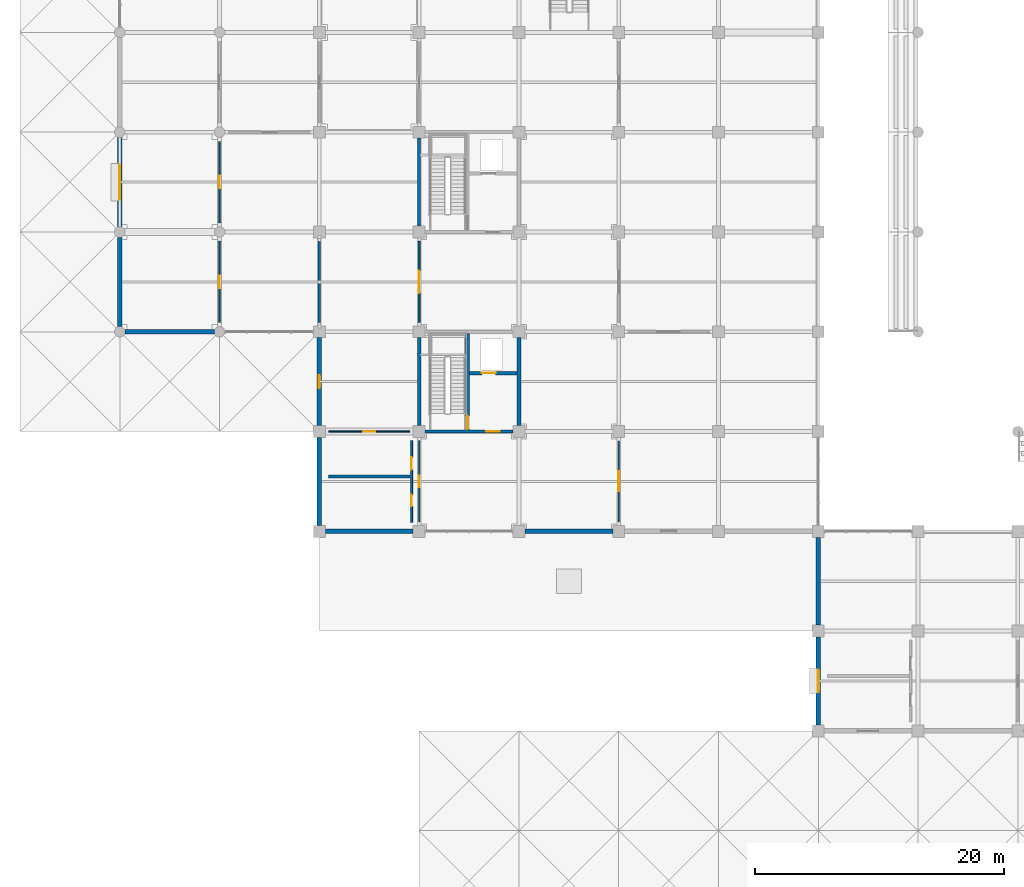
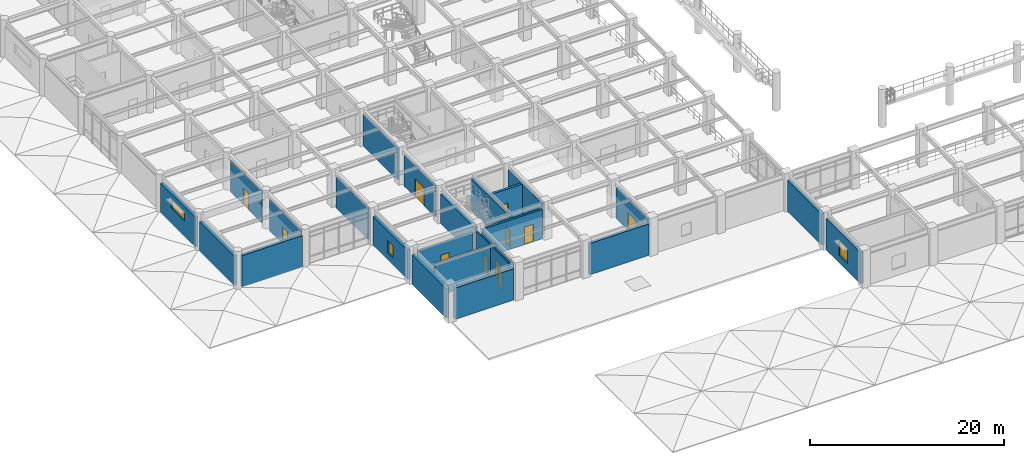
# One storey, part 68 of 109: 24 walls, 11 doors, 3 windows, 14 openings.
"""IFC4 building model written with IfcOpenShell, lengths in metres."""

from ifc_helpers import new_model, si_unit, direction, frame, frame_2d, origin, place, context, subcontext, project, spatial, rectangle, extrude, material, layer, layer_set, type_object, element, fill, save


model = new_model("IFC4")

# Units and contexts
model_context = context("Model", 3, precision=1e-05, world=origin(), true_north=direction((0.0, 1.0)))
body_context = subcontext(model_context, "Body", "Model", "MODEL_VIEW")
ifc_project = project(units=[si_unit("LENGTHUNIT", "METRE"), si_unit("AREAUNIT", "SQUARE_METRE"), si_unit("VOLUMEUNIT", "CUBIC_METRE"), si_unit("PLANEANGLEUNIT", "RADIAN"), si_unit("MASSUNIT", "GRAM", prefix="KILO")], contexts=[model_context])

# Site, building, storey
site_placement = place(None, origin())
site = spatial("IfcSite", under=ifc_project, at=site_placement, CompositionType="ELEMENT")
building_placement = place(site_placement, origin())
building = spatial("IfcBuilding", under=site, at=building_placement, Name="Haebicheon Civic Stadium", CompositionType="ELEMENT")
storey_placement = place(building_placement, frame((0.0, 0.0, 9.60009765625)))
storey = spatial("IfcBuildingStorey", under=building, at=storey_placement, Name="L03", CompositionType="ELEMENT", Elevation=9.60009765625)

# Wall, opening, door
ifc_material_1 = material(Name="Concrete C40/50", Category="concrete")
ifc_layer_1 = layer(ifc_material_1, 0.239990234375, Name="Concrete C40/50")
ifc_layer_set_1 = layer_set([ifc_layer_1], Name="Concrete C40/50")
wall_type_1 = type_object("IfcWallType", Name="CW-SHR-240", PredefinedType="SHEAR", material=ifc_layer_set_1)
wall_1_placement = place(storey_placement, frame((32.47509765625, 40.0, 0.0), z_axis=(0.0, 0.0, 1.0), x_axis=(1.0, 0.0, 0.0)))
wall_1 = element("IfcWall", 1, at=wall_1_placement, inside=storey, type_object=wall_type_1, material=ifc_layer_set_1, Name="KC-01 L03 south core shear wall", PredefinedType="SHEAR", context=body_context, shape_type="SweptSolid", body=[
    extrude(rectangle(XDim=7.0498046875, YDim=0.239990234375, at=frame_2d((3.52490234375, 0.0))), origin(), (0.0, 0.0, 1.0), 3.679931640625),
])
opening_1_placement = place(wall_1_placement, frame((4.89990234375, 0.0, 0.0)))
opening_1 = element("IfcOpeningElement", 2, at=opening_1_placement, cuts=wall_1, Name="Opening D-L03-KC-01-LOB", PredefinedType="OPENING", context=body_context, shape_type="SweptSolid", body=[
    extrude(rectangle(XDim=1.10009765625, YDim=2.199951171875, at=frame_2d((0.550048828125, 1.10009765625))), frame((0.0, 0.1298828125, 0.0), z_axis=(0.0, -1.0, 0.0), x_axis=(1.0, 0.0, 0.0)), (0.0, 0.0, 1.0), 0.260009765625),
])
ifc_material_2 = material(Name="Galvanised painted steel SM355", Category="steel")
door_type_1 = type_object("IfcDoorType", Name="ID-FD-1100", OperationType="NOTDEFINED", PredefinedType="DOOR", material=ifc_material_2)
door_1_placement = place(opening_1_placement, origin())
door_1 = element("IfcDoor", 3, at=door_1_placement, inside=storey, type_object=door_type_1, material=ifc_material_2, Name="L03 KC-01 lobby fire door", OperationType="SINGLE_SWING_LEFT", OverallHeight=2.199951171875, OverallWidth=1.10009765625, PredefinedType="DOOR", context=body_context, shape_type="SweptSolid", body=[
    extrude(rectangle(XDim=1.10009765625, YDim=2.199951171875, at=frame_2d((0.550048828125, 1.10009765625))), frame((0.0, 0.02490234375, 0.0), z_axis=(0.0, -1.0, 0.0), x_axis=(1.0, 0.0, 0.0)), (0.0, 0.0, 1.0), 0.050048828125),
])
fill(opening_1, door_1)

# Walls
wall_2_placement = place(storey_placement, frame((32.0, 56.47509765625, 0.0), z_axis=(0.0, 0.0, 1.0), x_axis=(0.0, 1.0, 0.0)))
element("IfcWall", 4, at=wall_2_placement, inside=storey, type_object=wall_type_1, material=ifc_layer_set_1, Name="KC-02 L03 west core shear wall", PredefinedType="SHEAR", context=body_context, shape_type="SweptSolid", body=[
    extrude(rectangle(XDim=7.0498046875, YDim=0.239990234375, at=frame_2d((3.52490234375, 0.0))), origin(), (0.0, 0.0, 1.0), 3.929931640625),
])
ifc_material_3 = material(Name="Concrete C40/50", Category="concrete")
ifc_layer_2 = layer(ifc_material_3, 0.300048828125, Name="Concrete C40/50")
ifc_layer_set_2 = layer_set([ifc_layer_2], Name="Concrete C40/50")
wall_type_2 = type_object("IfcWallType", Name="CW-SHR-300", PredefinedType="SHEAR", material=ifc_layer_set_2)
wall_3_placement = place(storey_placement, frame((32.0, 40.47509765625, 0.0), z_axis=(0.0, 0.0, 1.0), x_axis=(0.0, 1.0, 0.0)))
element("IfcWall", 5, at=wall_3_placement, inside=storey, type_object=wall_type_2, material=ifc_layer_set_2, Name="KC-01 L03 west core shear wall", PredefinedType="SHEAR", context=body_context, shape_type="SweptSolid", body=[
    extrude(rectangle(XDim=7.0498046875, YDim=0.300048828125, at=frame_2d((3.52490234375, 0.0))), origin(), (0.0, 0.0, 1.0), 3.679931640625),
])
wall_4_placement = place(storey_placement, frame((40.0, 40.47509765625, 0.0), z_axis=(0.0, 0.0, 1.0), x_axis=(0.0, 1.0, 0.0)))
element("IfcWall", 6, at=wall_4_placement, inside=storey, type_object=wall_type_2, material=ifc_layer_set_2, Name="KC-01 L03 east core shear wall", PredefinedType="SHEAR", context=body_context, shape_type="SweptSolid", body=[
    extrude(rectangle(XDim=7.0498046875, YDim=0.300048828125, at=frame_2d((3.52490234375, 0.0))), origin(), (0.0, 0.0, 1.0), 3.929931640625),
])

# Wall, opening, door
wall_5_placement = place(storey_placement, frame((35.8798828125, 40.1201171875, 0.0), z_axis=(0.0, 0.0, 1.0), x_axis=(0.0, 1.0, 0.0)))
wall_5 = element("IfcWall", 7, at=wall_5_placement, inside=storey, type_object=wall_type_2, material=ifc_layer_set_2, Name="KC-01 L03 stair-lobby dividing shear wall", PredefinedType="SHEAR", context=body_context, shape_type="SweptSolid", body=[
    extrude(rectangle(XDim=7.759765625, YDim=0.300048828125, at=frame_2d((3.8798828125, 0.0))), origin(), (0.0, 0.0, 1.0), 4.02978515625),
])
opening_2_placement = place(wall_5_placement, frame((0.080078125, 0.0, 0.0)))
opening_2 = element("IfcOpeningElement", 8, at=opening_2_placement, cuts=wall_5, Name="Opening D-L03-KC-01-STR", PredefinedType="OPENING", context=body_context, shape_type="SweptSolid", body=[
    extrude(rectangle(XDim=1.050048828125, YDim=2.14990234375, at=frame_2d((0.52490234375, 1.074951171875))), frame((0.0, 0.159912109375, 0.0), z_axis=(0.0, -1.0, 0.0), x_axis=(1.0, 0.0, 0.0)), (0.0, 0.0, 1.0), 0.320068359375),
])
ifc_material_4 = material(Name="Galvanised painted steel SM355", Category="steel")
door_type_2 = type_object("IfcDoorType", Name="ID-FD-1050", OperationType="NOTDEFINED", PredefinedType="DOOR", material=ifc_material_4)
door_2_placement = place(opening_2_placement, origin())
door_2 = element("IfcDoor", 9, at=door_2_placement, inside=storey, type_object=door_type_2, material=ifc_material_4, Name="L03 ST-01 stairwell escape door", OperationType="SINGLE_SWING_RIGHT", OverallHeight=2.14990234375, OverallWidth=1.050048828125, PredefinedType="DOOR", context=body_context, shape_type="SweptSolid", body=[
    extrude(rectangle(XDim=1.050048828125, YDim=2.14990234375, at=frame_2d((0.52490234375, 1.074951171875))), frame((0.0, 0.02490234375, 0.0), z_axis=(0.0, -1.0, 0.0), x_axis=(1.0, 0.0, 0.0)), (0.0, 0.0, 1.0), 0.050048828125),
])
fill(opening_2, door_2)

wall_6_placement = place(storey_placement, frame((36.030029296875, 44.679931640625, 0.0), z_axis=(0.0, 0.0, 1.0), x_axis=(1.0, 0.0, 0.0)))
wall_6 = element("IfcWall", 10, at=wall_6_placement, inside=storey, type_object=wall_type_2, material=ifc_layer_set_2, Name="KC-01 L03 lift shaft front wall", PredefinedType="SHEAR", context=body_context, shape_type="SweptSolid", body=[
    extrude(rectangle(XDim=3.820068359375, YDim=0.300048828125, at=frame_2d((1.91015625, 0.0))), origin(), (0.0, 0.0, 1.0), 3.929931640625),
])
opening_3_placement = place(wall_6_placement, frame((1.0, 0.0, 0.0)))
opening_3 = element("IfcOpeningElement", 11, at=opening_3_placement, cuts=wall_6, Name="Opening LD-01-L03", PredefinedType="OPENING", context=body_context, shape_type="SweptSolid", body=[
    extrude(rectangle(XDim=1.10009765625, YDim=2.14990234375, at=frame_2d((0.550048828125, 1.074951171875))), frame((0.0, 0.159912109375, 0.0), z_axis=(0.0, -1.0, 0.0), x_axis=(1.0, 0.0, 0.0)), (0.0, 0.0, 1.0), 0.320068359375),
])
ifc_material_5 = material(Name="Stainless steel 316", Category="steel")
door_type_3 = type_object("IfcDoorType", Name="ID-LD-1100", OperationType="NOTDEFINED", PredefinedType="DOOR", material=ifc_material_5)
door_3_placement = place(opening_3_placement, origin())
door_3 = element("IfcDoor", 12, at=door_3_placement, inside=storey, type_object=door_type_3, material=ifc_material_5, Name="LF-01 lift landing sliding door L03", OperationType="SLIDING_TO_LEFT", OverallHeight=2.14990234375, OverallWidth=1.10009765625, PredefinedType="DOOR", context=body_context, shape_type="SweptSolid", body=[
    extrude(rectangle(XDim=1.10009765625, YDim=2.14990234375, at=frame_2d((0.550048828125, 1.074951171875))), frame((0.0, 0.02490234375, 0.0), z_axis=(0.0, -1.0, 0.0), x_axis=(1.0, 0.0, 0.0)), (0.0, 0.0, 1.0), 0.050048828125),
])
fill(opening_3, door_3)

# Walls
ifc_material_6 = material(Name="Concrete C40/50", Category="concrete")
ifc_layer_3 = layer(ifc_material_6, 0.35009765625, Name="Concrete C40/50")
ifc_layer_set_3 = layer_set([ifc_layer_3], Name="Concrete C40/50")
wall_type_3 = type_object("IfcWallType", Name="EW-BM-350", PredefinedType="SOLIDWALL", material=ifc_layer_set_3)
wall_7_placement = place(storey_placement, frame((8.425048828125, 48.0, 0.0), z_axis=(0.0, 0.0, 1.0), x_axis=(1.0, 0.0, 0.0)))
element("IfcWall", 13, at=wall_7_placement, inside=storey, type_object=wall_type_3, material=ifc_layer_set_3, Name="L03 board-marked concrete facade wall 01-06-S", PredefinedType="SOLIDWALL", context=body_context, shape_type="SweptSolid", body=[
    extrude(rectangle(XDim=7.14990234375, YDim=0.35009765625, at=frame_2d((3.574951171875, 0.0))), origin(), (0.0, 0.0, 1.0), 3.949951171875),
])
wall_8_placement = place(storey_placement, frame((8.0, 48.425048828125, 0.0), z_axis=(0.0, 0.0, 1.0), x_axis=(0.0, 1.0, 0.0)))
element("IfcWall", 14, at=wall_8_placement, inside=storey, type_object=wall_type_3, material=ifc_layer_set_3, Name="L03 board-marked concrete facade wall 01-06-W", PredefinedType="SOLIDWALL", context=body_context, shape_type="SweptSolid", body=[
    extrude(rectangle(XDim=7.14990234375, YDim=0.35009765625, at=frame_2d((3.574951171875, 0.0))), origin(), (0.0, 0.0, 1.0), 3.719970703125),
])

# Wall, opening, window
wall_9_placement = place(storey_placement, frame((8.0, 56.425048828125, 0.0), z_axis=(0.0, 0.0, 1.0), x_axis=(0.0, 1.0, 0.0)))
wall_9 = element("IfcWall", 15, at=wall_9_placement, inside=storey, type_object=wall_type_3, material=ifc_layer_set_3, Name="L03 board-marked concrete facade wall 01-07-W", PredefinedType="SOLIDWALL", context=body_context, shape_type="SweptSolid", body=[
    extrude(rectangle(XDim=7.14990234375, YDim=0.35009765625, at=frame_2d((3.574951171875, 0.0))), origin(), (0.0, 0.0, 1.0), 3.719970703125),
])
opening_4_placement = place(wall_9_placement, frame((2.175048828125, 0.0, 1.89990234375)))
opening_4 = element("IfcOpeningElement", 16, at=opening_4_placement, cuts=wall_9, Name="Opening WIN-280x110", PredefinedType="OPENING", context=body_context, shape_type="SweptSolid", body=[
    extrude(rectangle(XDim=2.800048828125, YDim=1.10009765625, at=frame_2d((1.39990234375, 0.550048828125))), frame((0.0, 0.18505859375, 0.0), z_axis=(0.0, -1.0, 0.0), x_axis=(1.0, 0.0, 0.0)), (0.0, 0.0, 1.0), 0.3701171875),
])
ifc_material_7 = material(Name="Anodised aluminium and laminated glass", Category="aluminium")
window_type_1 = type_object("IfcWindowType", Name="WIN-280x110", PartitioningType="SINGLE_PANEL", PredefinedType="LIGHTDOME", material=ifc_material_7)
window_1_placement = place(opening_4_placement, origin())
window_1 = element("IfcWindow", 17, at=window_1_placement, inside=storey, type_object=window_type_1, material=ifc_material_7, Name="L03 facade window 065", OverallHeight=1.10009765625, OverallWidth=2.800048828125, PartitioningType="SINGLE_PANEL", PredefinedType="LIGHTDOME", context=body_context, shape_type="SweptSolid", body=[
    extrude(rectangle(XDim=2.800048828125, YDim=1.10009765625, at=frame_2d((1.39990234375, 0.550048828125))), frame((0.0, 0.030029296875, 0.0), z_axis=(0.0, -1.0, 0.0), x_axis=(1.0, 0.0, 0.0)), (0.0, 0.0, 1.0), 0.06005859375),
])
fill(opening_4, window_1)

# Walls
wall_10_placement = place(storey_placement, frame((24.47509765625, 32.0, 0.0), z_axis=(0.0, 0.0, 1.0), x_axis=(1.0, 0.0, 0.0)))
element("IfcWall", 18, at=wall_10_placement, inside=storey, type_object=wall_type_3, material=ifc_layer_set_3, Name="L03 board-marked concrete facade wall 03-04-S", PredefinedType="SOLIDWALL", context=body_context, shape_type="SweptSolid", body=[
    extrude(rectangle(XDim=7.0498046875, YDim=0.35009765625, at=frame_2d((3.52490234375, 0.0))), origin(), (0.0, 0.0, 1.0), 3.929931640625),
])
wall_11_placement = place(storey_placement, frame((24.0, 32.47509765625, 0.0), z_axis=(0.0, 0.0, 1.0), x_axis=(0.0, 1.0, 0.0)))
element("IfcWall", 19, at=wall_11_placement, inside=storey, type_object=wall_type_3, material=ifc_layer_set_3, Name="L03 board-marked concrete facade wall 03-04-W", PredefinedType="SOLIDWALL", context=body_context, shape_type="SweptSolid", body=[
    extrude(rectangle(XDim=7.0498046875, YDim=0.35009765625, at=frame_2d((3.52490234375, 0.0))), origin(), (0.0, 0.0, 1.0), 3.679931640625),
])

# Wall, opening, window
wall_12_placement = place(storey_placement, frame((24.0, 40.47509765625, 0.0), z_axis=(0.0, 0.0, 1.0), x_axis=(0.0, 1.0, 0.0)))
wall_12 = element("IfcWall", 20, at=wall_12_placement, inside=storey, type_object=wall_type_3, material=ifc_layer_set_3, Name="L03 board-marked concrete facade wall 03-05-W", PredefinedType="SOLIDWALL", context=body_context, shape_type="SweptSolid", body=[
    extrude(rectangle(XDim=7.0498046875, YDim=0.35009765625, at=frame_2d((3.52490234375, 0.0))), origin(), (0.0, 0.0, 1.0), 3.679931640625),
])
opening_5_placement = place(wall_12_placement, frame((3.0, 0.0, 0.949951171875)))
opening_5 = element("IfcOpeningElement", 21, at=opening_5_placement, cuts=wall_12, Name="Opening WIN-105x150", PredefinedType="OPENING", context=body_context, shape_type="SweptSolid", body=[
    extrude(rectangle(XDim=1.050048828125, YDim=1.5, at=frame_2d((0.52490234375, 0.75))), frame((0.0, 0.18505859375, 0.0), z_axis=(0.0, -1.0, 0.0), x_axis=(1.0, 0.0, 0.0)), (0.0, 0.0, 1.0), 0.3701171875),
])
ifc_material_8 = material(Name="Anodised aluminium and laminated glass", Category="aluminium")
window_type_2 = type_object("IfcWindowType", Name="WIN-105x150", PartitioningType="SINGLE_PANEL", PredefinedType="WINDOW", material=ifc_material_8)
window_2_placement = place(opening_5_placement, origin())
window_2 = element("IfcWindow", 22, at=window_2_placement, inside=storey, type_object=window_type_2, material=ifc_material_8, Name="L03 facade window 068", OverallHeight=1.5, OverallWidth=1.050048828125, PartitioningType="SINGLE_PANEL", PredefinedType="WINDOW", context=body_context, shape_type="SweptSolid", body=[
    extrude(rectangle(XDim=1.050048828125, YDim=1.5, at=frame_2d((0.52490234375, 0.75))), frame((0.0, 0.030029296875, 0.0), z_axis=(0.0, -1.0, 0.0), x_axis=(1.0, 0.0, 0.0)), (0.0, 0.0, 1.0), 0.06005859375),
])
fill(opening_5, window_2)

# Wall
wall_13_placement = place(storey_placement, frame((40.47509765625, 32.0, 0.0), z_axis=(0.0, 0.0, 1.0), x_axis=(1.0, 0.0, 0.0)))
element("IfcWall", 23, at=wall_13_placement, inside=storey, type_object=wall_type_3, material=ifc_layer_set_3, Name="L03 board-marked concrete facade wall 05-04-S", PredefinedType="SOLIDWALL", context=body_context, shape_type="SweptSolid", body=[
    extrude(rectangle(XDim=7.0498046875, YDim=0.35009765625, at=frame_2d((3.52490234375, 0.0))), origin(), (0.0, 0.0, 1.0), 3.929931640625),
])

# Wall, opening, window
wall_14_placement = place(storey_placement, frame((64.0, 16.47509765625, 0.0), z_axis=(0.0, 0.0, 1.0), x_axis=(0.0, 1.0, 0.0)))
wall_14 = element("IfcWall", 24, at=wall_14_placement, inside=storey, type_object=wall_type_3, material=ifc_layer_set_3, Name="L03 board-marked concrete facade wall 08-02-W", PredefinedType="SOLIDWALL", context=body_context, shape_type="SweptSolid", body=[
    extrude(rectangle(XDim=7.0498046875, YDim=0.35009765625, at=frame_2d((3.52490234375, 0.0))), origin(), (0.0, 0.0, 1.0), 3.949951171875),
])
opening_6_placement = place(wall_14_placement, frame((2.625, 0.0, 0.949951171875)))
opening_6 = element("IfcOpeningElement", 25, at=opening_6_placement, cuts=wall_14, Name="Opening WIN-180x180", PredefinedType="OPENING", context=body_context, shape_type="SweptSolid", body=[
    extrude(rectangle(XDim=1.800048828125, YDim=1.800048828125, at=frame_2d((0.89990234375, 0.89990234375))), frame((0.0, 0.18505859375, 0.0), z_axis=(0.0, -1.0, 0.0), x_axis=(1.0, 0.0, 0.0)), (0.0, 0.0, 1.0), 0.3701171875),
])
ifc_material_9 = material(Name="Anodised aluminium and laminated glass", Category="aluminium")
window_type_3 = type_object("IfcWindowType", Name="WIN-180x180", PartitioningType="SINGLE_PANEL", PredefinedType="WINDOW", material=ifc_material_9)
window_3_placement = place(opening_6_placement, origin())
window_3 = element("IfcWindow", 26, at=window_3_placement, inside=storey, type_object=window_type_3, material=ifc_material_9, Name="L03 facade window 073", OverallHeight=1.800048828125, OverallWidth=1.800048828125, PartitioningType="SINGLE_PANEL", PredefinedType="WINDOW", context=body_context, shape_type="SweptSolid", body=[
    extrude(rectangle(XDim=1.800048828125, YDim=1.800048828125, at=frame_2d((0.89990234375, 0.89990234375))), frame((0.0, 0.030029296875, 0.0), z_axis=(0.0, -1.0, 0.0), x_axis=(1.0, 0.0, 0.0)), (0.0, 0.0, 1.0), 0.06005859375),
])
fill(opening_6, window_3)

# Walls
wall_15_placement = place(storey_placement, frame((64.0, 24.47509765625, 0.0), z_axis=(0.0, 0.0, 1.0), x_axis=(0.0, 1.0, 0.0)))
element("IfcWall", 27, at=wall_15_placement, inside=storey, type_object=wall_type_3, material=ifc_layer_set_3, Name="L03 board-marked concrete facade wall 08-03-W", PredefinedType="SOLIDWALL", context=body_context, shape_type="SweptSolid", body=[
    extrude(rectangle(XDim=7.0498046875, YDim=0.35009765625, at=frame_2d((3.52490234375, 0.0))), origin(), (0.0, 0.0, 1.0), 3.929931640625),
])
ifc_material_10 = material(Name="Concrete C35/45", Category="concrete")
ifc_layer_4 = layer(ifc_material_10, 0.199951171875, Name="Concrete C35/45")
ifc_layer_set_4 = layer_set([ifc_layer_4], Name="Concrete C35/45")
wall_type_4 = type_object("IfcWallType", Name="IW-FIR-200", PredefinedType="PARTITIONING", material=ifc_layer_set_4)
wall_16_placement = place(storey_placement, frame((24.0, 48.75, 0.0), z_axis=(0.0, 0.0, 1.0), x_axis=(0.0, 1.0, 0.0)))
element("IfcWall", 28, at=wall_16_placement, inside=storey, type_object=wall_type_4, material=ifc_layer_set_4, Name="L03 braced-frame solid fire wall 03-06", PredefinedType="PARTITIONING", context=body_context, shape_type="SweptSolid", body=[
    extrude(rectangle(XDim=6.5, YDim=0.199951171875, at=frame_2d((3.25, 0.0))), origin(), (0.0, 0.0, 1.0), 3.929931640625),
])
ifc_material_11 = material(Name="Concrete C35/45", Category="concrete")
ifc_layer_5 = layer(ifc_material_11, 0.219970703125, Name="Concrete C35/45")
ifc_layer_set_5 = layer_set([ifc_layer_5], Name="Concrete C35/45")
wall_type_5 = type_object("IfcWallType", Name="IW-PLB-220", PredefinedType="PLUMBINGWALL", material=ifc_layer_set_5)
wall_17_placement = place(storey_placement, frame((24.719970703125, 36.39990234375, 0.0), z_axis=(0.0, 0.0, 1.0), x_axis=(1.0, 0.0, 0.0)))
element("IfcWall", 29, at=wall_17_placement, inside=storey, type_object=wall_type_5, material=ifc_layer_set_5, Name="L03 sanitary plumbing chase wall 10", PredefinedType="PLUMBINGWALL", context=body_context, shape_type="SweptSolid", body=[
    extrude(rectangle(XDim=6.56005859375, YDim=0.219970703125, at=frame_2d((3.280029296875, 0.0))), origin(), (0.0, 0.0, 1.0), 4.179931640625),
])

# Wall, opening, door
ifc_material_12 = material(Name="Anodised aluminium and laminated glass", Category="aluminium")
ifc_layer_6 = layer(ifc_material_12, 0.10009765625, Name="Anodised aluminium and laminated glass")
ifc_layer_set_6 = layer_set([ifc_layer_6], Name="Anodised aluminium and laminated glass")
wall_type_6 = type_object("IfcWallType", Name="IW-PRT-100", PredefinedType="PARTITIONING", material=ifc_layer_set_6)
wall_18_placement = place(storey_placement, frame((24.75, 40.0, 0.0), z_axis=(0.0, 0.0, 1.0), x_axis=(1.0, 0.0, 0.0)))
wall_18 = element("IfcWall", 30, at=wall_18_placement, inside=storey, type_object=wall_type_6, material=ifc_layer_set_6, Name="L03 Supporters' Club Lounge partition wall", PredefinedType="PARTITIONING", context=body_context, shape_type="SweptSolid", body=[
    extrude(rectangle(XDim=6.5, YDim=0.10009765625, at=frame_2d((3.25, 0.0))), origin(), (0.0, 0.0, 1.0), 3.679931640625),
])
opening_7_placement = place(wall_18_placement, frame((2.77490234375, 0.0, 0.0)))
opening_7 = element("IfcOpeningElement", 31, at=opening_7_placement, cuts=wall_18, Name="Opening D-L03-265", PredefinedType="OPENING", context=body_context, shape_type="SweptSolid", body=[
    extrude(rectangle(XDim=0.949951171875, YDim=2.10009765625, at=frame_2d((0.47509765625, 1.050048828125))), frame((0.0, 0.06005859375, 0.0), z_axis=(0.0, -1.0, 0.0), x_axis=(1.0, 0.0, 0.0)), (0.0, 0.0, 1.0), 0.1201171875),
])
ifc_material_13 = material(Name="Engineered hardwood timber", Category="wood")
door_type_4 = type_object("IfcDoorType", Name="ID-RM-0950", OperationType="NOTDEFINED", PredefinedType="DOOR", material=ifc_material_13)
door_4_placement = place(opening_7_placement, origin())
door_4 = element("IfcDoor", 32, at=door_4_placement, inside=storey, type_object=door_type_4, material=ifc_material_13, Name="L03 Supporters' Club Lounge entrance door D-L03-265", OperationType="SINGLE_SWING_RIGHT", OverallHeight=2.10009765625, OverallWidth=0.949951171875, PredefinedType="DOOR", context=body_context, shape_type="SweptSolid", body=[
    extrude(rectangle(XDim=0.949951171875, YDim=2.10009765625, at=frame_2d((0.47509765625, 1.050048828125))), frame((0.0, 0.02490234375, 0.0), z_axis=(0.0, -1.0, 0.0), x_axis=(1.0, 0.0, 0.0)), (0.0, 0.0, 1.0), 0.050048828125),
])
fill(opening_7, door_4)

wall_19_placement = place(storey_placement, frame((32.0, 32.75, 0.0), z_axis=(0.0, 0.0, 1.0), x_axis=(0.0, 1.0, 0.0)))
wall_19 = element("IfcWall", 33, at=wall_19_placement, inside=storey, type_object=wall_type_6, material=ifc_layer_set_6, Name="L03 Supporters' Club Lounge partition wall", PredefinedType="PARTITIONING", context=body_context, shape_type="SweptSolid", body=[
    extrude(rectangle(XDim=6.5, YDim=0.10009765625, at=frame_2d((3.25, 0.0))), origin(), (0.0, 0.0, 1.0), 3.929931640625),
])
opening_8_placement = place(wall_19_placement, frame((2.77490234375, 0.0, 0.0)))
opening_8 = element("IfcOpeningElement", 34, at=opening_8_placement, cuts=wall_19, Name="Opening D-L03-273", PredefinedType="OPENING", context=body_context, shape_type="SweptSolid", body=[
    extrude(rectangle(XDim=0.949951171875, YDim=2.10009765625, at=frame_2d((0.47509765625, 1.050048828125))), frame((0.0, 0.06005859375, 0.0), z_axis=(0.0, -1.0, 0.0), x_axis=(1.0, 0.0, 0.0)), (0.0, 0.0, 1.0), 0.1201171875),
])
door_5_placement = place(opening_8_placement, origin())
door_5 = element("IfcDoor", 35, at=door_5_placement, inside=storey, type_object=door_type_4, material=ifc_material_13, Name="L03 Supporters' Club Lounge entrance door D-L03-273", OperationType="SINGLE_SWING_RIGHT", OverallHeight=2.10009765625, OverallWidth=0.949951171875, PredefinedType="DOOR", context=body_context, shape_type="SweptSolid", body=[
    extrude(rectangle(XDim=0.949951171875, YDim=2.10009765625, at=frame_2d((0.47509765625, 1.050048828125))), frame((0.0, 0.02490234375, 0.0), z_axis=(0.0, -1.0, 0.0), x_axis=(1.0, 0.0, 0.0)), (0.0, 0.0, 1.0), 0.050048828125),
])
fill(opening_8, door_5)

ifc_material_14 = material(Name="Gypsum plasterboard on steel studs", Category="gypsum")
ifc_layer_7 = layer(ifc_material_14, 0.1201171875, Name="Gypsum plasterboard on steel studs")
ifc_layer_set_7 = layer_set([ifc_layer_7], Name="Gypsum plasterboard on steel studs")
wall_type_7 = type_object("IfcWallType", Name="IW-PRT-120", PredefinedType="PARTITIONING", material=ifc_layer_set_7)
wall_20_placement = place(storey_placement, frame((16.0, 48.75, 0.0), z_axis=(0.0, 0.0, 1.0), x_axis=(0.0, 1.0, 0.0)))
wall_20 = element("IfcWall", 36, at=wall_20_placement, inside=storey, type_object=wall_type_7, material=ifc_layer_set_7, Name="L03 West Boulevard Viewing Gallery partition wall", PredefinedType="PARTITIONING", context=body_context, shape_type="SweptSolid", body=[
    extrude(rectangle(XDim=6.5, YDim=0.1201171875, at=frame_2d((3.25, 0.0))), origin(), (0.0, 0.0, 1.0), 3.969970703125),
])
opening_9_placement = place(wall_20_placement, frame((2.75, 0.0, 0.0)))
opening_9 = element("IfcOpeningElement", 37, at=opening_9_placement, cuts=wall_20, Name="Opening D-L03-338", PredefinedType="OPENING", context=body_context, shape_type="SweptSolid", body=[
    extrude(rectangle(XDim=1.0, YDim=2.10009765625, at=frame_2d((0.5, 1.050048828125))), frame((0.0, 0.070068359375, 0.0), z_axis=(0.0, -1.0, 0.0), x_axis=(1.0, 0.0, 0.0)), (0.0, 0.0, 1.0), 0.14013671875),
])
ifc_material_15 = material(Name="Engineered hardwood timber", Category="wood")
door_type_5 = type_object("IfcDoorType", Name="ID-RM-1000", OperationType="NOTDEFINED", PredefinedType="DOOR", material=ifc_material_15)
door_6_placement = place(opening_9_placement, origin())
door_6 = element("IfcDoor", 38, at=door_6_placement, inside=storey, type_object=door_type_5, material=ifc_material_15, Name="L03 West Boulevard Viewing Gallery entrance door D-L03-338", OperationType="SINGLE_SWING_RIGHT", OverallHeight=2.10009765625, OverallWidth=1.0, PredefinedType="DOOR", context=body_context, shape_type="SweptSolid", body=[
    extrude(rectangle(XDim=1.0, YDim=2.10009765625, at=frame_2d((0.5, 1.050048828125))), frame((0.0, 0.02490234375, 0.0), z_axis=(0.0, -1.0, 0.0), x_axis=(1.0, 0.0, 0.0)), (0.0, 0.0, 1.0), 0.050048828125),
])
fill(opening_9, door_6)

ifc_material_16 = material(Name="Gypsum plasterboard on steel studs", Category="gypsum")
ifc_layer_8 = layer(ifc_material_16, 0.1298828125, Name="Gypsum plasterboard on steel studs")
ifc_layer_set_8 = layer_set([ifc_layer_8], Name="Gypsum plasterboard on steel studs")
wall_type_8 = type_object("IfcWallType", Name="IW-PRT-130", PredefinedType="PARTITIONING", material=ifc_layer_set_8)
wall_21_placement = place(storey_placement, frame((16.0, 56.75, 0.0), z_axis=(0.0, 0.0, 1.0), x_axis=(0.0, 1.0, 0.0)))
wall_21 = element("IfcWall", 39, at=wall_21_placement, inside=storey, type_object=wall_type_8, material=ifc_layer_set_8, Name="L03 West Boulevard Viewing Gallery partition wall", PredefinedType="PARTITIONING", context=body_context, shape_type="SweptSolid", body=[
    extrude(rectangle(XDim=6.5, YDim=0.1298828125, at=frame_2d((3.25, 0.0))), origin(), (0.0, 0.0, 1.0), 3.969970703125),
])
opening_10_placement = place(wall_21_placement, frame((2.75, 0.0, 0.0)))
opening_10 = element("IfcOpeningElement", 40, at=opening_10_placement, cuts=wall_21, Name="Opening D-L03-344", PredefinedType="OPENING", context=body_context, shape_type="SweptSolid", body=[
    extrude(rectangle(XDim=1.0, YDim=2.10009765625, at=frame_2d((0.5, 1.050048828125))), frame((0.0, 0.074951171875, 0.0), z_axis=(0.0, -1.0, 0.0), x_axis=(1.0, 0.0, 0.0)), (0.0, 0.0, 1.0), 0.14990234375),
])
door_7_placement = place(opening_10_placement, origin())
door_7 = element("IfcDoor", 41, at=door_7_placement, inside=storey, type_object=door_type_5, material=ifc_material_15, Name="L03 West Boulevard Viewing Gallery entrance door D-L03-344", OperationType="SINGLE_SWING_RIGHT", OverallHeight=2.10009765625, OverallWidth=1.0, PredefinedType="DOOR", context=body_context, shape_type="SweptSolid", body=[
    extrude(rectangle(XDim=1.0, YDim=2.10009765625, at=frame_2d((0.5, 1.050048828125))), frame((0.0, 0.02490234375, 0.0), z_axis=(0.0, -1.0, 0.0), x_axis=(1.0, 0.0, 0.0)), (0.0, 0.0, 1.0), 0.050048828125),
])
fill(opening_10, door_7)

# Wall, openings, doors
ifc_material_17 = material(Name="Gypsum plasterboard on steel studs", Category="gypsum")
ifc_layer_9 = layer(ifc_material_17, 0.14990234375, Name="Gypsum plasterboard on steel studs")
ifc_layer_set_9 = layer_set([ifc_layer_9], Name="Gypsum plasterboard on steel studs")
wall_type_9 = type_object("IfcWallType", Name="IW-PRT-150", PredefinedType="PARTITIONING", material=ifc_layer_set_9)
wall_22_placement = place(storey_placement, frame((31.39990234375, 32.719970703125, 0.0), z_axis=(0.0, 0.0, 1.0), x_axis=(0.0, 1.0, 0.0)))
wall_22 = element("IfcWall", 42, at=wall_22_placement, inside=storey, type_object=wall_type_9, material=ifc_layer_set_9, Name="L03 sanitary enclosure front wall 10", PredefinedType="PARTITIONING", context=body_context, shape_type="SweptSolid", body=[
    extrude(rectangle(XDim=6.56005859375, YDim=0.14990234375, at=frame_2d((3.280029296875, 0.0))), origin(), (0.0, 0.0, 1.0), 4.179931640625),
])
opening_11_placement = place(wall_22_placement, frame((1.300048828125, 0.0, 0.0)))
opening_11 = element("IfcOpeningElement", 43, at=opening_11_placement, cuts=wall_22, Name="Opening D-L03-WC-10A", PredefinedType="OPENING", context=body_context, shape_type="SweptSolid", body=[
    extrude(rectangle(XDim=0.89990234375, YDim=2.10009765625, at=frame_2d((0.449951171875, 1.050048828125))), frame((0.0, 0.0849609375, 0.0), z_axis=(0.0, -1.0, 0.0), x_axis=(1.0, 0.0, 0.0)), (0.0, 0.0, 1.0), 0.169921875),
])
opening_12_placement = place(wall_22_placement, frame((4.199951171875, 0.0, 0.0)))
opening_12 = element("IfcOpeningElement", 44, at=opening_12_placement, cuts=wall_22, Name="Opening D-L03-AWC-10B", PredefinedType="OPENING", context=body_context, shape_type="SweptSolid", body=[
    extrude(rectangle(XDim=1.0, YDim=2.14990234375, at=frame_2d((0.5, 1.074951171875))), frame((0.0, 0.0849609375, 0.0), z_axis=(0.0, -1.0, 0.0), x_axis=(1.0, 0.0, 0.0)), (0.0, 0.0, 1.0), 0.169921875),
])
ifc_material_18 = material(Name="Anodised aluminium 6063-T6", Category="aluminium")
door_type_6 = type_object("IfcDoorType", Name="ID-AWC-1000", OperationType="NOTDEFINED", PredefinedType="DOOR", material=ifc_material_18)
door_8_placement = place(opening_12_placement, origin())
door_8 = element("IfcDoor", 45, at=door_8_placement, inside=storey, type_object=door_type_6, material=ifc_material_18, Name="L03 accessible WC door 10", OperationType="SINGLE_SWING_LEFT", OverallHeight=2.14990234375, OverallWidth=1.0, PredefinedType="DOOR", context=body_context, shape_type="SweptSolid", body=[
    extrude(rectangle(XDim=1.0, YDim=2.14990234375, at=frame_2d((0.5, 1.074951171875))), frame((0.0, 0.02490234375, 0.0), z_axis=(0.0, -1.0, 0.0), x_axis=(1.0, 0.0, 0.0)), (0.0, 0.0, 1.0), 0.050048828125),
])
fill(opening_12, door_8)
ifc_material_19 = material(Name="Anodised aluminium 6063-T6", Category="aluminium")
door_type_7 = type_object("IfcDoorType", Name="ID-WC-0900", OperationType="NOTDEFINED", PredefinedType="DOOR", material=ifc_material_19)
door_9_placement = place(opening_11_placement, origin())
door_9 = element("IfcDoor", 46, at=door_9_placement, inside=storey, type_object=door_type_7, material=ifc_material_19, Name="L03 public restroom door 10", OperationType="SINGLE_SWING_RIGHT", OverallHeight=2.10009765625, OverallWidth=0.89990234375, PredefinedType="DOOR", context=body_context, shape_type="SweptSolid", body=[
    extrude(rectangle(XDim=0.89990234375, YDim=2.10009765625, at=frame_2d((0.449951171875, 1.050048828125))), frame((0.0, 0.02490234375, 0.0), z_axis=(0.0, -1.0, 0.0), x_axis=(1.0, 0.0, 0.0)), (0.0, 0.0, 1.0), 0.050048828125),
])
fill(opening_11, door_9)

# Wall, opening, door
wall_23_placement = place(storey_placement, frame((32.0, 48.75, 0.0), z_axis=(0.0, 0.0, 1.0), x_axis=(0.0, 1.0, 0.0)))
wall_23 = element("IfcWall", 47, at=wall_23_placement, inside=storey, type_object=wall_type_9, material=ifc_layer_set_9, Name="L03 Club Dining Hall partition wall", PredefinedType="PARTITIONING", context=body_context, shape_type="SweptSolid", body=[
    extrude(rectangle(XDim=6.5, YDim=0.14990234375, at=frame_2d((3.25, 0.0))), origin(), (0.0, 0.0, 1.0), 3.929931640625),
])
opening_13_placement = place(wall_23_placement, frame((2.35009765625, 0.0, 0.0)))
opening_13 = element("IfcOpeningElement", 48, at=opening_13_placement, cuts=wall_23, Name="Opening D-L03-266", PredefinedType="OPENING", context=body_context, shape_type="SweptSolid", body=[
    extrude(rectangle(XDim=1.800048828125, YDim=2.300048828125, at=frame_2d((0.89990234375, 1.14990234375))), frame((0.0, 0.0849609375, 0.0), z_axis=(0.0, -1.0, 0.0), x_axis=(1.0, 0.0, 0.0)), (0.0, 0.0, 1.0), 0.169921875),
])
ifc_material_20 = material(Name="Galvanised painted steel SM355", Category="steel")
door_type_8 = type_object("IfcDoorType", Name="ID-DBL-1800", OperationType="NOTDEFINED", PredefinedType="DOOR", material=ifc_material_20)
door_10_placement = place(opening_13_placement, origin())
door_10 = element("IfcDoor", 49, at=door_10_placement, inside=storey, type_object=door_type_8, material=ifc_material_20, Name="L03 Club Dining Hall entrance door D-L03-266", OperationType="DOUBLE_SWING_LEFT", OverallHeight=2.300048828125, OverallWidth=1.800048828125, PredefinedType="DOOR", context=body_context, shape_type="SweptSolid", body=[
    extrude(rectangle(XDim=1.800048828125, YDim=2.300048828125, at=frame_2d((0.89990234375, 1.14990234375))), frame((0.0, 0.02490234375, 0.0), z_axis=(0.0, -1.0, 0.0), x_axis=(1.0, 0.0, 0.0)), (0.0, 0.0, 1.0), 0.050048828125),
])
fill(opening_13, door_10)

wall_24_placement = place(storey_placement, frame((48.0, 32.75, 0.0), z_axis=(0.0, 0.0, 1.0), x_axis=(0.0, 1.0, 0.0)))
wall_24 = element("IfcWall", 50, at=wall_24_placement, inside=storey, type_object=wall_type_9, material=ifc_layer_set_9, Name="L03 Supporters' Club Lounge partition wall", PredefinedType="PARTITIONING", context=body_context, shape_type="SweptSolid", body=[
    extrude(rectangle(XDim=6.5, YDim=0.14990234375, at=frame_2d((3.25, 0.0))), origin(), (0.0, 0.0, 1.0), 3.929931640625),
])
opening_14_placement = place(wall_24_placement, frame((2.449951171875, 0.0, 0.0)))
opening_14 = element("IfcOpeningElement", 51, at=opening_14_placement, cuts=wall_24, Name="Opening D-L03-282", PredefinedType="OPENING", context=body_context, shape_type="SweptSolid", body=[
    extrude(rectangle(XDim=1.60009765625, YDim=2.199951171875, at=frame_2d((0.800048828125, 1.10009765625))), frame((0.0, 0.0849609375, 0.0), z_axis=(0.0, -1.0, 0.0), x_axis=(1.0, 0.0, 0.0)), (0.0, 0.0, 1.0), 0.169921875),
])
ifc_material_21 = material(Name="Anodised aluminium and laminated glass", Category="aluminium")
door_type_9 = type_object("IfcDoorType", Name="ID-DBL-1600", OperationType="NOTDEFINED", PredefinedType="DOOR", material=ifc_material_21)
door_11_placement = place(opening_14_placement, origin())
door_11 = element("IfcDoor", 52, at=door_11_placement, inside=storey, type_object=door_type_9, material=ifc_material_21, Name="L03 Supporters' Club Lounge entrance door D-L03-282", OperationType="DOUBLE_SWING_LEFT", OverallHeight=2.199951171875, OverallWidth=1.60009765625, PredefinedType="DOOR", context=body_context, shape_type="SweptSolid", body=[
    extrude(rectangle(XDim=1.60009765625, YDim=2.199951171875, at=frame_2d((0.800048828125, 1.10009765625))), frame((0.0, 0.02490234375, 0.0), z_axis=(0.0, -1.0, 0.0), x_axis=(1.0, 0.0, 0.0)), (0.0, 0.0, 1.0), 0.050048828125),
])
fill(opening_14, door_11)

save(model, "model.ifc")
